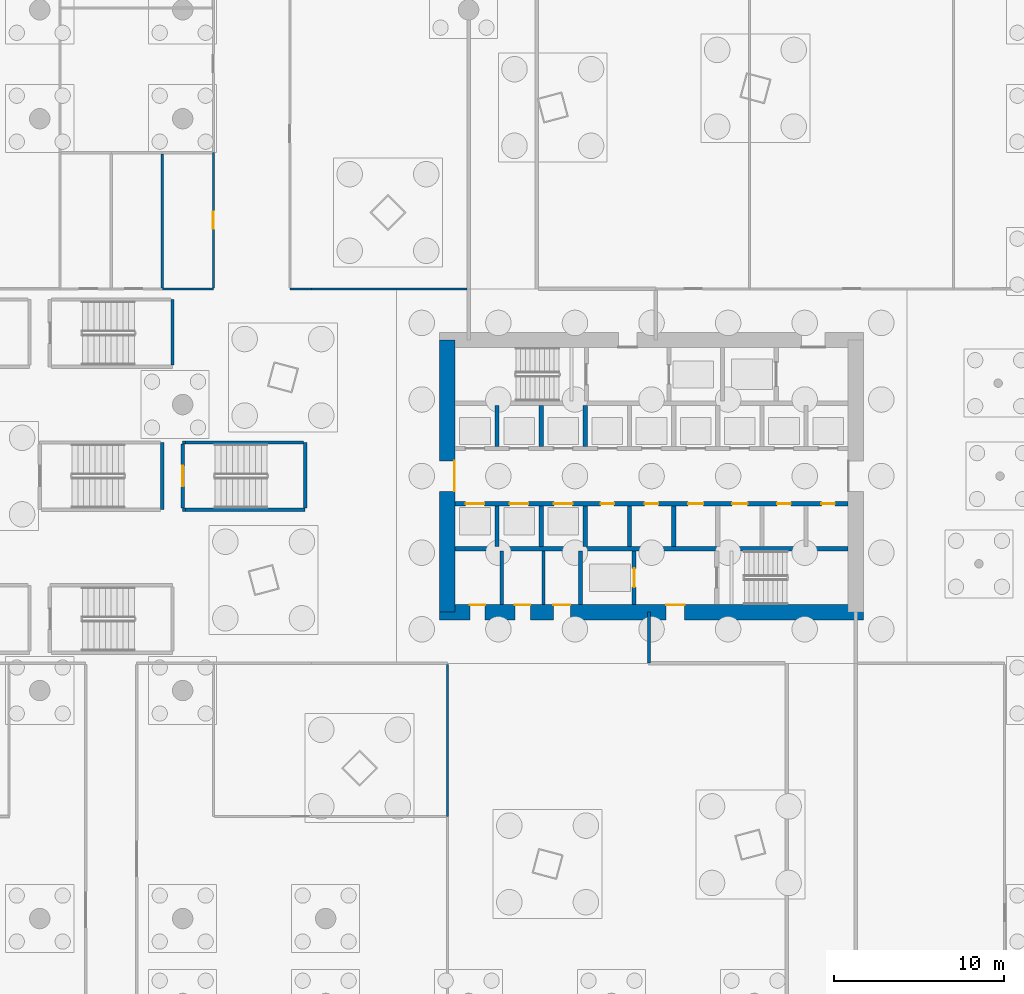
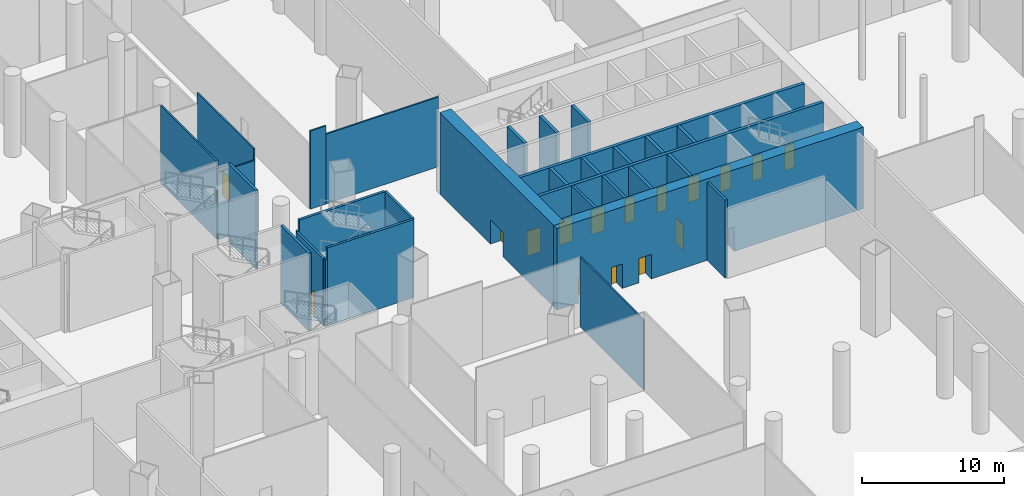
# One storey, part 31 of 41: 31 walls, 17 doors, 17 openings.
"""IFC4 building model written with IfcOpenShell, lengths in metres."""

from ifc_helpers import new_model, si_unit, direction, frame, frame_2d, origin, place, context, subcontext, project, spatial, rectangle, extrude, material, layer, layer_set, type_object, element, fill, save


model = new_model("IFC4")

# Units and contexts
model_context = context("Model", 3, precision=1e-05, world=origin(), true_north=direction((0.0, 1.0)))
body_context = subcontext(model_context, "Body", "Model", "MODEL_VIEW")
ifc_project = project(units=[si_unit("LENGTHUNIT", "METRE"), si_unit("AREAUNIT", "SQUARE_METRE"), si_unit("VOLUMEUNIT", "CUBIC_METRE"), si_unit("PLANEANGLEUNIT", "RADIAN"), si_unit("MASSUNIT", "GRAM", prefix="KILO")], contexts=[model_context])

# Site, building, storey
site_placement = place(None, origin())
site = spatial("IfcSite", under=ifc_project, at=site_placement, CompositionType="ELEMENT")
building_placement = place(site_placement, origin())
building = spatial("IfcBuilding", under=site, at=building_placement, Name="Rimbun Link Towers", CompositionType="ELEMENT")
storey_placement = place(building_placement, origin())
storey = spatial("IfcBuildingStorey", under=building, at=storey_placement, Name="L00", CompositionType="ELEMENT", Elevation=0.0)

# Walls
ifc_material_1 = material(Name="Masonry blockwork", Category="masonry")
ifc_layer_1 = layer(ifc_material_1, 0.199951171875)
ifc_layer_set_1 = layer_set([ifc_layer_1], Name="Core partition 200")
wall_type_1 = type_object("IfcWallType", Name="Core partition 200", PredefinedType="PARTITIONING", material=ifc_layer_set_1)
for number, where, z_axis, x_axis, name in (
    (1, (22.949951171875, -4.39990234375, 0.0), (0.0, 0.0, 1.0), (0.0, -1.0, 0.0), "L00 T2 core wall C1"),
    (2, (25.39990234375, -4.39990234375, 0.0), (0.0, 0.0, 1.0), (0.0, -1.0, 0.0), "L00 T2 core wall C2"),
):
    element("IfcWall", number, at=place(storey_placement, frame(where, z_axis=z_axis, x_axis=x_axis)), inside=storey, type_object=wall_type_1, Name=name, PredefinedType="PARTITIONING", context=body_context, shape_type="SweptSolid", body=[
        extrude(rectangle(XDim=3.150146484375, YDim=0.199951171875, at=frame_2d((1.5751953125, 0.0))), origin(), (0.0, 0.0, 1.0), 7.0),
    ])

# Wall, openings, doors
ifc_material_2 = material(Name="Concrete C60/75", Category="concrete")
ifc_layer_2 = layer(ifc_material_2, 0.89990234375)
ifc_layer_set_2 = layer_set([ifc_layer_2], Name="Core shear wall 900")
wall_type_2 = type_object("IfcWallType", Name="Core shear wall 900", PredefinedType="SHEAR", material=ifc_layer_set_2)
wall_1_placement = place(storey_placement, frame((19.300048828125, -8.0, 0.0), z_axis=(0.0, 0.0, 1.0), x_axis=(1.0, 0.0, 0.0)))
wall_1 = element("IfcWall", 3, at=wall_1_placement, inside=storey, type_object=wall_type_2, Name="L00 T2 core wall S", PredefinedType="SHEAR", context=body_context, shape_type="SweptSolid", body=[
    extrude(rectangle(XDim=24.89990234375, YDim=0.89990234375, at=frame_2d((12.449951171875, 0.0))), origin(), (0.0, 0.0, 1.0), 7.0),
])
opening_1_placement = place(wall_1_placement, frame((13.300048828125, 0.0, 0.0)))
opening_1 = element("IfcOpeningElement", 4, at=opening_1_placement, cuts=wall_1, Name="Opening C2DCF01S", PredefinedType="OPENING", context=body_context, shape_type="SweptSolid", body=[
    extrude(rectangle(XDim=1.10009765625, YDim=2.10009765625, at=frame_2d((0.550048828125, 1.050048828125))), frame((0.0, 0.4599609375, 0.0), z_axis=(0.0, -1.0, 0.0), x_axis=(1.0, 0.0, 0.0)), (0.0, 0.0, 1.0), 0.919921875),
])
opening_2_placement = place(wall_1_placement, frame((1.77490234375, 0.0, 0.0)))
opening_2 = element("IfcOpeningElement", 5, at=opening_2_placement, cuts=wall_1, Name="Opening C2DWC02S", PredefinedType="OPENING", context=body_context, shape_type="SweptSolid", body=[
    extrude(rectangle(XDim=0.89990234375, YDim=2.10009765625, at=frame_2d((0.449951171875, 1.050048828125))), frame((0.0, 0.4599609375, 0.0), z_axis=(0.0, -1.0, 0.0), x_axis=(1.0, 0.0, 0.0)), (0.0, 0.0, 1.0), 0.919921875),
])
opening_3_placement = place(wall_1_placement, frame((4.425048828125, 0.0, 0.0)))
opening_3 = element("IfcOpeningElement", 6, at=opening_3_placement, cuts=wall_1, Name="Opening C2DWC03S", PredefinedType="OPENING", context=body_context, shape_type="SweptSolid", body=[
    extrude(rectangle(XDim=0.89990234375, YDim=2.10009765625, at=frame_2d((0.449951171875, 1.050048828125))), frame((0.0, 0.4599609375, 0.0), z_axis=(0.0, -1.0, 0.0), x_axis=(1.0, 0.0, 0.0)), (0.0, 0.0, 1.0), 0.919921875),
])
opening_4_placement = place(wall_1_placement, frame((6.675048828125, 0.0, 0.0)))
opening_4 = element("IfcOpeningElement", 7, at=opening_4_placement, cuts=wall_1, Name="Opening C2DAW04S", PredefinedType="OPENING", context=body_context, shape_type="SweptSolid", body=[
    extrude(rectangle(XDim=1.0, YDim=2.10009765625, at=frame_2d((0.5, 1.050048828125))), frame((0.0, 0.4599609375, 0.0), z_axis=(0.0, -1.0, 0.0), x_axis=(1.0, 0.0, 0.0)), (0.0, 0.0, 1.0), 0.919921875),
])
ifc_material_3 = material(Name="Timber", Category="wood")
door_type_1 = type_object("IfcDoorType", Name="Accessible WC door", OperationType="SINGLE_SWING_LEFT", PredefinedType="DOOR", material=ifc_material_3)
door_1_placement = place(opening_4_placement, origin())
door_1 = element("IfcDoor", 8, at=door_1_placement, inside=storey, type_object=door_type_1, Name="L00 T2 accessible wc door", OperationType="SINGLE_SWING_RIGHT", OverallHeight=2.10009765625, OverallWidth=1.0, PredefinedType="DOOR", context=body_context, shape_type="SweptSolid", body=[
    extrude(rectangle(XDim=1.0, YDim=2.10009765625, at=frame_2d((0.5, 1.050048828125))), frame((0.0, 0.4501953125, 0.0), z_axis=(0.0, -1.0, 0.0), x_axis=(1.0, 0.0, 0.0)), (0.0, 0.0, 1.0), 0.050048828125),
])
fill(opening_4, door_1)
ifc_material_4 = material(Name="Steel fire door set", Category="steel")
door_type_2 = type_object("IfcDoorType", Name="Core fire door single", OperationType="SINGLE_SWING_LEFT", PredefinedType="DOOR", material=ifc_material_4)
door_2_placement = place(opening_1_placement, origin())
door_2 = element("IfcDoor", 9, at=door_2_placement, inside=storey, type_object=door_type_2, Name="L00 T2 firefighting lobby s door", OperationType="SINGLE_SWING_RIGHT", OverallHeight=2.10009765625, OverallWidth=1.10009765625, PredefinedType="DOOR", context=body_context, shape_type="SweptSolid", body=[
    extrude(rectangle(XDim=1.10009765625, YDim=2.10009765625, at=frame_2d((0.550048828125, 1.050048828125))), frame((0.0, 0.4501953125, 0.0), z_axis=(0.0, -1.0, 0.0), x_axis=(1.0, 0.0, 0.0)), (0.0, 0.0, 1.0), 0.050048828125),
])
fill(opening_1, door_2)
ifc_material_5 = material(Name="Timber", Category="wood")
door_type_3 = type_object("IfcDoorType", Name="WC door", OperationType="SINGLE_SWING_LEFT", PredefinedType="DOOR", material=ifc_material_5)
door_3_placement = place(opening_2_placement, origin())
door_3 = element("IfcDoor", 10, at=door_3_placement, inside=storey, type_object=door_type_3, Name="L00 T2 male wc door", OperationType="SINGLE_SWING_RIGHT", OverallHeight=2.10009765625, OverallWidth=0.89990234375, PredefinedType="DOOR", context=body_context, shape_type="SweptSolid", body=[
    extrude(rectangle(XDim=0.89990234375, YDim=2.10009765625, at=frame_2d((0.449951171875, 1.050048828125))), frame((0.0, 0.4501953125, 0.0), z_axis=(0.0, -1.0, 0.0), x_axis=(1.0, 0.0, 0.0)), (0.0, 0.0, 1.0), 0.050048828125),
])
fill(opening_2, door_3)
door_4_placement = place(opening_3_placement, origin())
door_4 = element("IfcDoor", 11, at=door_4_placement, inside=storey, type_object=door_type_3, Name="L00 T2 female wc door", OperationType="SINGLE_SWING_RIGHT", OverallHeight=2.10009765625, OverallWidth=0.89990234375, PredefinedType="DOOR", context=body_context, shape_type="SweptSolid", body=[
    extrude(rectangle(XDim=0.89990234375, YDim=2.10009765625, at=frame_2d((0.449951171875, 1.050048828125))), frame((0.0, 0.4501953125, 0.0), z_axis=(0.0, -1.0, 0.0), x_axis=(1.0, 0.0, 0.0)), (0.0, 0.0, 1.0), 0.050048828125),
])
fill(opening_3, door_4)

# Wall, opening, door
wall_2_placement = place(storey_placement, frame((19.75, -8.0, 0.0), z_axis=(0.0, 0.0, 1.0), x_axis=(0.0, 1.0, 0.0)))
wall_2 = element("IfcWall", 12, at=wall_2_placement, inside=storey, type_object=wall_type_2, Name="L00 T2 core wall W", PredefinedType="SHEAR", context=body_context, shape_type="SweptSolid", body=[
    extrude(rectangle(XDim=16.0, YDim=0.89990234375, at=frame_2d((8.0, 0.0))), origin(), (0.0, 0.0, 1.0), 7.0),
])
opening_5_placement = place(wall_2_placement, frame((7.10009765625, 0.0, 0.0)))
opening_5 = element("IfcOpeningElement", 13, at=opening_5_placement, cuts=wall_2, Name="Opening C2DCL01W", PredefinedType="OPENING", context=body_context, shape_type="SweptSolid", body=[
    extrude(rectangle(XDim=1.800048828125, YDim=2.10009765625, at=frame_2d((0.89990234375, 1.050048828125))), frame((0.0, 0.4599609375, 0.0), z_axis=(0.0, -1.0, 0.0), x_axis=(1.0, 0.0, 0.0)), (0.0, 0.0, 1.0), 0.919921875),
])
ifc_material_6 = material(Name="Steel fire door set", Category="steel")
door_type_4 = type_object("IfcDoorType", Name="Core lobby door double", OperationType="DOUBLE_DOOR_SINGLE_SWING", PredefinedType="DOOR", material=ifc_material_6)
door_5_placement = place(opening_5_placement, origin())
door_5 = element("IfcDoor", 14, at=door_5_placement, inside=storey, type_object=door_type_4, Name="L00 T2 lift lobby door", OperationType="DOUBLE_DOOR_SINGLE_SWING", OverallHeight=2.10009765625, OverallWidth=1.800048828125, PredefinedType="DOOR", context=body_context, shape_type="SweptSolid", body=[
    extrude(rectangle(XDim=1.800048828125, YDim=2.10009765625, at=frame_2d((0.89990234375, 1.050048828125))), frame((0.0, -0.39990234375, 0.0), z_axis=(0.0, -1.0, 0.0), x_axis=(1.0, 0.0, 0.0)), (0.0, 0.0, 1.0), 0.050048828125),
])
fill(opening_5, door_5)

# Walls
ifc_material_7 = material(Name="Concrete blockwork", Category="masonry")
ifc_layer_3 = layer(ifc_material_7, 0.199951171875)
ifc_layer_set_3 = layer_set([ifc_layer_3], Name="Fire partition 200 blockwork")
wall_type_3 = type_object("IfcWallType", Name="Fire partition 200 blockwork", PredefinedType="PARTITIONING", material=ifc_layer_set_3)
wall_3_placement = place(storey_placement, frame((31.60009765625, -8.0, 0.0), z_axis=(0.0, 0.0, 1.0), x_axis=(0.0, -1.0, 0.0)))
element("IfcWall", 15, at=wall_3_placement, inside=storey, type_object=wall_type_3, Name="PD/PW/L00/050", PredefinedType="PARTITIONING", context=body_context, shape_type="SweptSolid", body=[
    extrude(rectangle(XDim=2.97509765625, YDim=0.199951171875, at=frame_2d((1.487548828125, 0.0))), origin(), (0.0, 0.0, 1.0), 6.699951171875),
])
ifc_material_8 = material(Name="Gypsum board on steel studs", Category="steel")
ifc_layer_4 = layer(ifc_material_8, 0.125)
ifc_layer_set_4 = layer_set([ifc_layer_4], Name="Partition 125 board on studs")
wall_type_4 = type_object("IfcWallType", Name="Partition 125 board on studs", PredefinedType="PARTITIONING", material=ifc_layer_set_4)
wall_4_placement = place(storey_placement, frame((20.89990234375, 11.0, 0.0), z_axis=(0.0, 0.0, 1.0), x_axis=(-1.0, 0.0, 0.0)))
element("IfcWall", 16, at=wall_4_placement, inside=storey, type_object=wall_type_4, Name="PD/PW/L00/063", PredefinedType="PARTITIONING", context=body_context, shape_type="SweptSolid", body=[
    extrude(rectangle(XDim=9.169921875, YDim=0.125, at=frame_2d((4.5849609375, 0.0))), origin(), (0.0, 0.0, 1.0), 5.99609375),
])
wall_5_placement = place(storey_placement, frame((19.75, -11.0625, 0.0), z_axis=(0.0, 0.0, 1.0), x_axis=(0.0, -1.0, 0.0)))
element("IfcWall", 17, at=wall_5_placement, inside=storey, type_object=wall_type_4, Name="PD/PW/L00/068", PredefinedType="PARTITIONING", context=body_context, shape_type="SweptSolid", body=[
    extrude(rectangle(XDim=8.9375, YDim=0.125, at=frame_2d((4.46875, 0.0))), origin(), (0.0, 0.0, 1.0), 5.99609375),
])
wall_6_placement = place(storey_placement, frame((6.0, 11.0, 0.0), z_axis=(0.0, 0.0, 1.0), x_axis=(-1.0, 0.0, 0.0)))
element("IfcWall", 18, at=wall_6_placement, inside=storey, type_object=wall_type_4, Name="PD/PW/L00/080", PredefinedType="PARTITIONING", context=body_context, shape_type="SweptSolid", body=[
    extrude(rectangle(XDim=3.0, YDim=0.125, at=frame_2d((1.5, 0.0))), origin(), (0.0, 0.0, 1.0), 5.761962890625),
])
wall_7_placement = place(storey_placement, frame((11.77001953125, 11.0, 0.0), z_axis=(0.0, 0.0, 1.0), x_axis=(-1.0, 0.0, 0.0)))
element("IfcWall", 19, at=wall_7_placement, inside=storey, type_object=wall_type_4, Name="PD/PW/L00/082", PredefinedType="PARTITIONING", context=body_context, shape_type="SweptSolid", body=[
    extrude(rectangle(XDim=1.27001953125, YDim=0.125, at=frame_2d((0.635009765625, 0.0))), origin(), (0.0, 0.0, 1.0), 6.699951171875),
])

# Wall, opening, door
wall_8_placement = place(storey_placement, frame((6.0, 19.0, 0.0), z_axis=(0.0, 0.0, 1.0), x_axis=(0.0, -1.0, 0.0)))
wall_8 = element("IfcWall", 20, at=wall_8_placement, inside=storey, type_object=wall_type_4, Name="PD/PW/L00/109", PredefinedType="PARTITIONING", context=body_context, shape_type="SweptSolid", body=[
    extrude(rectangle(XDim=7.9375, YDim=0.125, at=frame_2d((3.96875, 0.0))), origin(), (0.0, 0.0, 1.0), 6.699951171875),
])
opening_6_placement = place(wall_8_placement, frame((3.468994140625, 0.0, 0.0)))
opening_6 = element("IfcOpeningElement", 21, at=opening_6_placement, cuts=wall_8, Name="Opening PD D00.16", PredefinedType="OPENING", context=body_context, shape_type="SweptSolid", body=[
    extrude(rectangle(XDim=1.0, YDim=2.10009765625, at=frame_2d((0.5, 1.050048828125))), frame((0.0, 0.072509765625, 0.0), z_axis=(0.0, -1.0, 0.0), x_axis=(1.0, 0.0, 0.0)), (0.0, 0.0, 1.0), 0.14501953125),
])
ifc_material_9 = material(Name="Timber door set", Category="wood")
door_type_5 = type_object("IfcDoorType", Name="Door single leaf 1000 x 2100", OperationType="NOTDEFINED", PredefinedType="DOOR", material=ifc_material_9)
door_6_placement = place(opening_6_placement, origin())
door_6 = element("IfcDoor", 22, at=door_6_placement, inside=storey, type_object=door_type_5, Name="PD/DR/L00/016", OperationType="SINGLE_SWING_LEFT", OverallHeight=2.10009765625, OverallWidth=1.0, PredefinedType="DOOR", context=body_context, shape_type="SweptSolid", body=[
    extrude(rectangle(XDim=1.0, YDim=2.10009765625, at=frame_2d((0.5, 1.050048828125))), frame((0.0, 0.02490234375, 0.0), z_axis=(0.0, -1.0, 0.0), x_axis=(1.0, 0.0, 0.0)), (0.0, 0.0, 1.0), 0.050048828125),
])
fill(opening_6, door_6)

# Walls
wall_9_placement = place(storey_placement, frame((3.0, 11.0625, 0.0), z_axis=(0.0, 0.0, 1.0), x_axis=(0.0, 1.0, 0.0)))
element("IfcWall", 23, at=wall_9_placement, inside=storey, type_object=wall_type_4, Name="PD/PW/L00/116", PredefinedType="PARTITIONING", context=body_context, shape_type="SweptSolid", body=[
    extrude(rectangle(XDim=7.875, YDim=0.125, at=frame_2d((3.9375, 0.0))), origin(), (0.0, 0.0, 1.0), 6.699951171875),
])
ifc_material_10 = material(Name="Concrete C60/75", Category="concrete")
ifc_layer_5 = layer(ifc_material_10, 0.25)
ifc_layer_set_5 = layer_set([ifc_layer_5], Name="Shaft wall 250")
wall_type_5 = type_object("IfcWallType", Name="Shaft wall 250", PredefinedType="SHEAR", material=ifc_layer_set_5)
wall_10_placement = place(storey_placement, frame((20.199951171875, -4.27490234375, 0.0), z_axis=(0.0, 0.0, 1.0), x_axis=(1.0, 0.0, 0.0)))
element("IfcWall", 24, at=wall_10_placement, inside=storey, type_object=wall_type_5, Name="L00 T2 core wall BS", PredefinedType="SHEAR", context=body_context, shape_type="SweptSolid", body=[
    extrude(rectangle(XDim=23.10009765625, YDim=0.25, at=frame_2d((11.550048828125, 0.0))), origin(), (0.0, 0.0, 1.0), 7.0),
])

# Wall, openings, doors
wall_11_placement = place(storey_placement, frame((20.199951171875, -1.625, 0.0), z_axis=(0.0, 0.0, 1.0), x_axis=(1.0, 0.0, 0.0)))
wall_11 = element("IfcWall", 25, at=wall_11_placement, inside=storey, type_object=wall_type_5, Name="L00 T2 core wall FS", PredefinedType="SHEAR", context=body_context, shape_type="SweptSolid", body=[
    extrude(rectangle(XDim=23.10009765625, YDim=0.25, at=frame_2d((11.550048828125, 0.0))), origin(), (0.0, 0.0, 1.0), 7.0),
])
opening_7_placement = place(wall_11_placement, frame((0.622314453125, 0.0, 0.0)))
opening_7 = element("IfcOpeningElement", 26, at=opening_7_placement, cuts=wall_11, Name="Opening LD-T2-SH4", PredefinedType="OPENING", context=body_context, shape_type="SweptSolid", body=[
    extrude(rectangle(XDim=1.10009765625, YDim=2.10009765625, at=frame_2d((0.550048828125, 1.050048828125))), frame((0.0, 0.135009765625, 0.0), z_axis=(0.0, -1.0, 0.0), x_axis=(1.0, 0.0, 0.0)), (0.0, 0.0, 1.0), 0.27001953125),
])
opening_8_placement = place(wall_11_placement, frame((3.216796875, 0.0, 0.0)))
opening_8 = element("IfcOpeningElement", 27, at=opening_8_placement, cuts=wall_11, Name="Opening LD-T2-OB1", PredefinedType="OPENING", context=body_context, shape_type="SweptSolid", body=[
    extrude(rectangle(XDim=1.10009765625, YDim=2.10009765625, at=frame_2d((0.550048828125, 1.050048828125))), frame((0.0, 0.135009765625, 0.0), z_axis=(0.0, -1.0, 0.0), x_axis=(1.0, 0.0, 0.0)), (0.0, 0.0, 1.0), 0.27001953125),
])
opening_9_placement = place(wall_11_placement, frame((5.81103515625, 0.0, 0.0)))
opening_9 = element("IfcOpeningElement", 28, at=opening_9_placement, cuts=wall_11, Name="Opening LD-T2-OB2", PredefinedType="OPENING", context=body_context, shape_type="SweptSolid", body=[
    extrude(rectangle(XDim=1.10009765625, YDim=2.10009765625, at=frame_2d((0.550048828125, 1.050048828125))), frame((0.0, 0.135009765625, 0.0), z_axis=(0.0, -1.0, 0.0), x_axis=(1.0, 0.0, 0.0)), (0.0, 0.0, 1.0), 0.27001953125),
])
opening_10_placement = place(wall_11_placement, frame((8.5556640625, 0.0, 0.0)))
opening_10 = element("IfcOpeningElement", 29, at=opening_10_placement, cuts=wall_11, Name="Opening C2DRA04FS", PredefinedType="OPENING", context=body_context, shape_type="SweptSolid", body=[
    extrude(rectangle(XDim=0.800048828125, YDim=2.10009765625, at=frame_2d((0.39990234375, 1.050048828125))), frame((0.0, 0.135009765625, 0.0), z_axis=(0.0, -1.0, 0.0), x_axis=(1.0, 0.0, 0.0)), (0.0, 0.0, 1.0), 0.27001953125),
])
opening_11_placement = place(wall_11_placement, frame((11.14990234375, 0.0, 0.0)))
opening_11 = element("IfcOpeningElement", 30, at=opening_11_placement, cuts=wall_11, Name="Opening C2DRA05FS", PredefinedType="OPENING", context=body_context, shape_type="SweptSolid", body=[
    extrude(rectangle(XDim=0.800048828125, YDim=2.10009765625, at=frame_2d((0.39990234375, 1.050048828125))), frame((0.0, 0.135009765625, 0.0), z_axis=(0.0, -1.0, 0.0), x_axis=(1.0, 0.0, 0.0)), (0.0, 0.0, 1.0), 0.27001953125),
])
opening_12_placement = place(wall_11_placement, frame((13.6943359375, 0.0, 0.0)))
opening_12 = element("IfcOpeningElement", 31, at=opening_12_placement, cuts=wall_11, Name="Opening C2DRS06FS", PredefinedType="OPENING", context=body_context, shape_type="SweptSolid", body=[
    extrude(rectangle(XDim=0.89990234375, YDim=2.10009765625, at=frame_2d((0.449951171875, 1.050048828125))), frame((0.0, 0.135009765625, 0.0), z_axis=(0.0, -1.0, 0.0), x_axis=(1.0, 0.0, 0.0)), (0.0, 0.0, 1.0), 0.27001953125),
])
opening_13_placement = place(wall_11_placement, frame((16.288818359375, 0.0, 0.0)))
opening_13 = element("IfcOpeningElement", 32, at=opening_13_placement, cuts=wall_11, Name="Opening C2DRS07FS", PredefinedType="OPENING", context=body_context, shape_type="SweptSolid", body=[
    extrude(rectangle(XDim=0.89990234375, YDim=2.10009765625, at=frame_2d((0.449951171875, 1.050048828125))), frame((0.0, 0.135009765625, 0.0), z_axis=(0.0, -1.0, 0.0), x_axis=(1.0, 0.0, 0.0)), (0.0, 0.0, 1.0), 0.27001953125),
])
opening_14_placement = place(wall_11_placement, frame((18.933349609375, 0.0, 0.0)))
opening_14 = element("IfcOpeningElement", 33, at=opening_14_placement, cuts=wall_11, Name="Opening C2DRA08FS", PredefinedType="OPENING", context=body_context, shape_type="SweptSolid", body=[
    extrude(rectangle(XDim=0.800048828125, YDim=2.10009765625, at=frame_2d((0.39990234375, 1.050048828125))), frame((0.0, 0.135009765625, 0.0), z_axis=(0.0, -1.0, 0.0), x_axis=(1.0, 0.0, 0.0)), (0.0, 0.0, 1.0), 0.27001953125),
])
opening_15_placement = place(wall_11_placement, frame((21.52783203125, 0.0, 0.0)))
opening_15 = element("IfcOpeningElement", 34, at=opening_15_placement, cuts=wall_11, Name="Opening C2DRA09FS", PredefinedType="OPENING", context=body_context, shape_type="SweptSolid", body=[
    extrude(rectangle(XDim=0.800048828125, YDim=2.10009765625, at=frame_2d((0.39990234375, 1.050048828125))), frame((0.0, 0.135009765625, 0.0), z_axis=(0.0, -1.0, 0.0), x_axis=(1.0, 0.0, 0.0)), (0.0, 0.0, 1.0), 0.27001953125),
])
ifc_material_11 = material(Name="Steel fire door set", Category="steel")
door_type_6 = type_object("IfcDoorType", Name="Core riser door", OperationType="SINGLE_SWING_LEFT", PredefinedType="DOOR", material=ifc_material_11)
door_7_placement = place(opening_12_placement, origin())
door_7 = element("IfcDoor", 35, at=door_7_placement, inside=storey, type_object=door_type_6, Name="L00 T2 staff store door", OperationType="SINGLE_SWING_LEFT", OverallHeight=2.10009765625, OverallWidth=0.89990234375, PredefinedType="DOOR", context=body_context, shape_type="SweptSolid", body=[
    extrude(rectangle(XDim=0.89990234375, YDim=2.10009765625, at=frame_2d((0.449951171875, 1.050048828125))), frame((0.0, 0.02490234375, 0.0), z_axis=(0.0, -1.0, 0.0), x_axis=(1.0, 0.0, 0.0)), (0.0, 0.0, 1.0), 0.050048828125),
])
fill(opening_12, door_7)
door_8_placement = place(opening_13_placement, origin())
door_8 = element("IfcDoor", 36, at=door_8_placement, inside=storey, type_object=door_type_6, Name="L00 T2 it cupboard door", OperationType="SINGLE_SWING_LEFT", OverallHeight=2.10009765625, OverallWidth=0.89990234375, PredefinedType="DOOR", context=body_context, shape_type="SweptSolid", body=[
    extrude(rectangle(XDim=0.89990234375, YDim=2.10009765625, at=frame_2d((0.449951171875, 1.050048828125))), frame((0.0, 0.02490234375, 0.0), z_axis=(0.0, -1.0, 0.0), x_axis=(1.0, 0.0, 0.0)), (0.0, 0.0, 1.0), 0.050048828125),
])
fill(opening_13, door_8)
ifc_material_12 = material(Name="Stainless steel grade 316", Category="steel")
door_type_7 = type_object("IfcDoorType", Name="Lift landing door", OperationType="DOUBLE_DOOR_SLIDING", PredefinedType="DOOR", material=ifc_material_12)
door_9_placement = place(opening_7_placement, origin())
door_9 = element("IfcDoor", 37, at=door_9_placement, inside=storey, type_object=door_type_7, Name="L00 T2 lift SH4 landing door", OperationType="DOUBLE_DOOR_SLIDING", OverallHeight=2.10009765625, OverallWidth=1.10009765625, PredefinedType="DOOR", context=body_context, shape_type="SweptSolid", body=[
    extrude(rectangle(XDim=1.10009765625, YDim=2.10009765625, at=frame_2d((0.550048828125, 1.050048828125))), frame((0.0, 0.02490234375, 0.0), z_axis=(0.0, -1.0, 0.0), x_axis=(1.0, 0.0, 0.0)), (0.0, 0.0, 1.0), 0.050048828125),
])
fill(opening_7, door_9)
door_10_placement = place(opening_8_placement, origin())
door_10 = element("IfcDoor", 38, at=door_10_placement, inside=storey, type_object=door_type_7, Name="L00 T2 lift OB1 landing door", OperationType="DOUBLE_DOOR_SLIDING", OverallHeight=2.10009765625, OverallWidth=1.10009765625, PredefinedType="DOOR", context=body_context, shape_type="SweptSolid", body=[
    extrude(rectangle(XDim=1.10009765625, YDim=2.10009765625, at=frame_2d((0.550048828125, 1.050048828125))), frame((0.0, 0.02490234375, 0.0), z_axis=(0.0, -1.0, 0.0), x_axis=(1.0, 0.0, 0.0)), (0.0, 0.0, 1.0), 0.050048828125),
])
fill(opening_8, door_10)
door_11_placement = place(opening_9_placement, origin())
door_11 = element("IfcDoor", 39, at=door_11_placement, inside=storey, type_object=door_type_7, Name="L00 T2 lift OB2 landing door", OperationType="DOUBLE_DOOR_SLIDING", OverallHeight=2.10009765625, OverallWidth=1.10009765625, PredefinedType="DOOR", context=body_context, shape_type="SweptSolid", body=[
    extrude(rectangle(XDim=1.10009765625, YDim=2.10009765625, at=frame_2d((0.550048828125, 1.050048828125))), frame((0.0, 0.02490234375, 0.0), z_axis=(0.0, -1.0, 0.0), x_axis=(1.0, 0.0, 0.0)), (0.0, 0.0, 1.0), 0.050048828125),
])
fill(opening_9, door_11)
ifc_material_13 = material(Name="Steel fire door set", Category="steel")
door_type_8 = type_object("IfcDoorType", Name="Riser access door 800 x 2100", OperationType="SINGLE_SWING_LEFT", PredefinedType="DOOR", material=ifc_material_13)
door_12_placement = place(opening_10_placement, origin())
door_12 = element("IfcDoor", 40, at=door_12_placement, inside=storey, type_object=door_type_8, Name="L00 T2 electrical room door", OperationType="SINGLE_SWING_LEFT", OverallHeight=2.10009765625, OverallWidth=0.800048828125, PredefinedType="DOOR", context=body_context, shape_type="SweptSolid", body=[
    extrude(rectangle(XDim=0.800048828125, YDim=2.10009765625, at=frame_2d((0.39990234375, 1.050048828125))), frame((0.0, 0.02490234375, 0.0), z_axis=(0.0, -1.0, 0.0), x_axis=(1.0, 0.0, 0.0)), (0.0, 0.0, 1.0), 0.050048828125),
])
fill(opening_10, door_12)
door_13_placement = place(opening_11_placement, origin())
door_13 = element("IfcDoor", 41, at=door_13_placement, inside=storey, type_object=door_type_8, Name="L00 T2 riser cupboard door", OperationType="SINGLE_SWING_RIGHT", OverallHeight=2.10009765625, OverallWidth=0.800048828125, PredefinedType="DOOR", context=body_context, shape_type="SweptSolid", body=[
    extrude(rectangle(XDim=0.800048828125, YDim=2.10009765625, at=frame_2d((0.39990234375, 1.050048828125))), frame((0.0, 0.02490234375, 0.0), z_axis=(0.0, -1.0, 0.0), x_axis=(1.0, 0.0, 0.0)), (0.0, 0.0, 1.0), 0.050048828125),
])
fill(opening_11, door_13)
door_14_placement = place(opening_14_placement, origin())
door_14 = element("IfcDoor", 42, at=door_14_placement, inside=storey, type_object=door_type_8, Name="L00 T2 electrical room door", OperationType="SINGLE_SWING_LEFT", OverallHeight=2.10009765625, OverallWidth=0.800048828125, PredefinedType="DOOR", context=body_context, shape_type="SweptSolid", body=[
    extrude(rectangle(XDim=0.800048828125, YDim=2.10009765625, at=frame_2d((0.39990234375, 1.050048828125))), frame((0.0, 0.02490234375, 0.0), z_axis=(0.0, -1.0, 0.0), x_axis=(1.0, 0.0, 0.0)), (0.0, 0.0, 1.0), 0.050048828125),
])
fill(opening_14, door_14)
door_15_placement = place(opening_15_placement, origin())
door_15 = element("IfcDoor", 43, at=door_15_placement, inside=storey, type_object=door_type_8, Name="L00 T2 riser cupboard door", OperationType="SINGLE_SWING_LEFT", OverallHeight=2.10009765625, OverallWidth=0.800048828125, PredefinedType="DOOR", context=body_context, shape_type="SweptSolid", body=[
    extrude(rectangle(XDim=0.800048828125, YDim=2.10009765625, at=frame_2d((0.39990234375, 1.050048828125))), frame((0.0, 0.02490234375, 0.0), z_axis=(0.0, -1.0, 0.0), x_axis=(1.0, 0.0, 0.0)), (0.0, 0.0, 1.0), 0.050048828125),
])
fill(opening_15, door_15)

# Walls
for number, where, z_axis, x_axis, name in (
    (44, (22.66943359375, 1.75, 0.0), (0.0, 0.0, 1.0), (0.0, 1.0, 0.0), "L00 T2 core wall DN0"),
    (45, (25.263916015625, 1.75, 0.0), (0.0, 0.0, 1.0), (0.0, 1.0, 0.0), "L00 T2 core wall DN1"),
    (46, (27.8583984375, 1.75, 0.0), (0.0, 0.0, 1.0), (0.0, 1.0, 0.0), "L00 T2 core wall DN2"),
    (47, (22.66943359375, -4.14990234375, 0.0), (0.0, 0.0, 1.0), (0.0, 1.0, 0.0), "L00 T2 core wall DS0"),
    (48, (25.263916015625, -4.14990234375, 0.0), (0.0, 0.0, 1.0), (0.0, 1.0, 0.0), "L00 T2 core wall DS1"),
    (49, (27.8583984375, -4.14990234375, 0.0), (0.0, 0.0, 1.0), (0.0, 1.0, 0.0), "L00 T2 core wall DS2"),
    (50, (30.452880859375, -4.14990234375, 0.0), (0.0, 0.0, 1.0), (0.0, 1.0, 0.0), "L00 T2 core wall DS3"),
    (51, (33.047119140625, -4.14990234375, 0.0), (0.0, 0.0, 1.0), (0.0, 1.0, 0.0), "L00 T2 core wall DS4"),
):
    element("IfcWall", number, at=place(storey_placement, frame(where, z_axis=z_axis, x_axis=x_axis)), inside=storey, type_object=wall_type_5, Name=name, PredefinedType="SHEAR", context=body_context, shape_type="SweptSolid", body=[
        extrude(rectangle(XDim=2.39990234375, YDim=0.25, at=frame_2d((1.199951171875, 0.0))), origin(), (0.0, 0.0, 1.0), 7.0),
    ])

# Wall, opening, door
wall_12_placement = place(storey_placement, frame((30.72509765625, -4.39990234375, 0.0), z_axis=(0.0, 0.0, 1.0), x_axis=(0.0, -1.0, 0.0)))
wall_12 = element("IfcWall", 52, at=wall_12_placement, inside=storey, type_object=wall_type_5, Name="L00 T2 core wall B2", PredefinedType="SHEAR", context=body_context, shape_type="SweptSolid", body=[
    extrude(rectangle(XDim=3.150146484375, YDim=0.25, at=frame_2d((1.5751953125, 0.0))), origin(), (0.0, 0.0, 1.0), 7.0),
])
opening_16_placement = place(wall_12_placement, frame((1.02490234375, 0.0, 0.0)))
opening_16 = element("IfcOpeningElement", 53, at=opening_16_placement, cuts=wall_12, Name="Opening LD-T2-FF2", PredefinedType="OPENING", context=body_context, shape_type="SweptSolid", body=[
    extrude(rectangle(XDim=1.10009765625, YDim=2.10009765625, at=frame_2d((0.550048828125, 1.050048828125))), frame((0.0, 0.135009765625, 0.0), z_axis=(0.0, -1.0, 0.0), x_axis=(1.0, 0.0, 0.0)), (0.0, 0.0, 1.0), 0.27001953125),
])
door_16_placement = place(opening_16_placement, origin())
door_16 = element("IfcDoor", 54, at=door_16_placement, inside=storey, type_object=door_type_7, Name="L00 T2 lift FF2 landing door", OperationType="DOUBLE_DOOR_SLIDING", OverallHeight=2.10009765625, OverallWidth=1.10009765625, PredefinedType="DOOR", context=body_context, shape_type="SweptSolid", body=[
    extrude(rectangle(XDim=1.10009765625, YDim=2.10009765625, at=frame_2d((0.550048828125, 1.050048828125))), frame((0.0, 0.02490234375, 0.0), z_axis=(0.0, -1.0, 0.0), x_axis=(1.0, 0.0, 0.0)), (0.0, 0.0, 1.0), 0.050048828125),
])
fill(opening_16, door_16)

# Walls
wall_13_placement = place(storey_placement, frame((27.574951171875, -4.39990234375, 0.0), z_axis=(0.0, 0.0, 1.0), x_axis=(0.0, -1.0, 0.0)))
element("IfcWall", 55, at=wall_13_placement, inside=storey, type_object=wall_type_5, Name="L00 T2 core wall B3", PredefinedType="SHEAR", context=body_context, shape_type="SweptSolid", body=[
    extrude(rectangle(XDim=3.150146484375, YDim=0.25, at=frame_2d((1.5751953125, 0.0))), origin(), (0.0, 0.0, 1.0), 7.0),
])
ifc_material_14 = material(Name="Concrete C40/50", Category="concrete")
ifc_layer_6 = layer(ifc_material_14, 0.199951171875)
ifc_layer_set_6 = layer_set([ifc_layer_6], Name="Stair shaft wall 200")
wall_type_6 = type_object("IfcWallType", Name="Stair shaft wall 200", PredefinedType="SOLIDWALL", material=ifc_layer_set_6)
wall_14_placement = place(storey_placement, frame((3.60009765625, 6.52490234375, 0.0), z_axis=(0.0, 0.0, 1.0), x_axis=(0.0, 1.0, 0.0)))
element("IfcWall", 56, at=wall_14_placement, inside=storey, type_object=wall_type_6, Name="PD/PW/L00/017", PredefinedType="SOLIDWALL", context=body_context, shape_type="SweptSolid", body=[
    extrude(rectangle(XDim=3.85009765625, YDim=0.199951171875, at=frame_2d((1.925048828125, 0.0))), origin(), (0.0, 0.0, 1.0), 6.699951171875),
])
wall_15_placement = place(storey_placement, frame((4.199951171875, -1.97509765625, 0.0), z_axis=(0.0, 0.0, 1.0), x_axis=(1.0, 0.0, 0.0)))
element("IfcWall", 57, at=wall_15_placement, inside=storey, type_object=wall_type_6, Name="PD/PW/L00/019", PredefinedType="SOLIDWALL", context=body_context, shape_type="SweptSolid", body=[
    extrude(rectangle(XDim=0.1728515625, YDim=0.199951171875, at=frame_2d((0.08642578125, 0.0))), origin(), (0.0, 0.0, 1.0), 5.761962890625),
])
wall_16_placement = place(storey_placement, frame((4.372802734375, -1.97509765625, 0.0), z_axis=(0.0, 0.0, 1.0), x_axis=(1.0, 0.0, 0.0)))
element("IfcWall", 58, at=wall_16_placement, inside=storey, type_object=wall_type_6, Name="PD/PW/L00/019b", PredefinedType="SOLIDWALL", context=body_context, shape_type="SweptSolid", body=[
    extrude(rectangle(XDim=7.027099609375, YDim=0.199951171875, at=frame_2d((3.513671875, 0.0))), origin(), (0.0, 0.0, 1.0), 6.699951171875),
])
wall_17_placement = place(storey_placement, frame((11.39990234375, -1.875, 0.0), z_axis=(0.0, 0.0, 1.0), x_axis=(0.0, 1.0, 0.0)))
element("IfcWall", 59, at=wall_17_placement, inside=storey, type_object=wall_type_6, Name="PD/PW/L00/020", PredefinedType="SOLIDWALL", context=body_context, shape_type="SweptSolid", body=[
    extrude(rectangle(XDim=3.85009765625, YDim=0.199951171875, at=frame_2d((1.925048828125, 0.0))), origin(), (0.0, 0.0, 1.0), 6.699951171875),
])
wall_18_placement = place(storey_placement, frame((11.300048828125, 1.97509765625, 0.0), z_axis=(0.0, 0.0, 1.0), x_axis=(-1.0, 0.0, 0.0)))
element("IfcWall", 60, at=wall_18_placement, inside=storey, type_object=wall_type_6, Name="PD/PW/L00/021", PredefinedType="SOLIDWALL", context=body_context, shape_type="SweptSolid", body=[
    extrude(rectangle(XDim=6.92724609375, YDim=0.199951171875, at=frame_2d((3.463623046875, 0.0))), origin(), (0.0, 0.0, 1.0), 6.699951171875),
])
wall_19_placement = place(storey_placement, frame((4.372802734375, 1.97509765625, 0.0), z_axis=(0.0, 0.0, 1.0), x_axis=(-1.0, 0.0, 0.0)))
element("IfcWall", 61, at=wall_19_placement, inside=storey, type_object=wall_type_6, Name="PD/PW/L00/021b", PredefinedType="SOLIDWALL", context=body_context, shape_type="SweptSolid", body=[
    extrude(rectangle(XDim=0.1728515625, YDim=0.199951171875, at=frame_2d((0.08642578125, 0.0))), origin(), (0.0, 0.0, 1.0), 5.761962890625),
])

# Wall, opening, door
wall_20_placement = place(storey_placement, frame((4.199951171875, 1.875, 0.0), z_axis=(0.0, 0.0, 1.0), x_axis=(0.0, -1.0, 0.0)))
wall_20 = element("IfcWall", 62, at=wall_20_placement, inside=storey, type_object=wall_type_6, Name="PD/PW/L00/022", PredefinedType="SOLIDWALL", context=body_context, shape_type="SweptSolid", body=[
    extrude(rectangle(XDim=3.75, YDim=0.199951171875, at=frame_2d((1.875, 0.0))), origin(), (0.0, 0.0, 1.0), 5.761962890625),
])
opening_17_placement = place(wall_20_placement, frame((1.27490234375, 0.0, 0.0)))
opening_17 = element("IfcOpeningElement", 63, at=opening_17_placement, cuts=wall_20, Name="Opening PD DS5", PredefinedType="OPENING", context=body_context, shape_type="SweptSolid", body=[
    extrude(rectangle(XDim=1.199951171875, YDim=2.10009765625, at=frame_2d((0.60009765625, 1.050048828125))), frame((0.0, 0.10986328125, 0.0), z_axis=(0.0, -1.0, 0.0), x_axis=(1.0, 0.0, 0.0)), (0.0, 0.0, 1.0), 0.219970703125),
])
ifc_material_15 = material(Name="Steel fire door set", Category="steel")
door_type_9 = type_object("IfcDoorType", Name="Stair door", OperationType="SINGLE_SWING_LEFT", PredefinedType="DOOR", material=ifc_material_15)
door_17_placement = place(opening_17_placement, frame((1.199951171875, 0.0, 0.0), z_axis=(0.0, 0.0, 1.0), x_axis=(-1.0, 0.0, 0.0)))
door_17 = element("IfcDoor", 64, at=door_17_placement, inside=storey, type_object=door_type_9, Name="PD/DR/L00/S5", OperationType="SINGLE_SWING_LEFT", OverallHeight=2.10009765625, OverallWidth=1.199951171875, PredefinedType="DOOR", context=body_context, shape_type="SweptSolid", body=[
    extrude(rectangle(XDim=1.199951171875, YDim=2.10009765625, at=frame_2d((0.60009765625, 1.050048828125))), frame((0.0, 0.02490234375, 0.0), z_axis=(0.0, -1.0, 0.0), x_axis=(1.0, 0.0, 0.0)), (0.0, 0.0, 1.0), 0.050048828125),
])
fill(opening_17, door_17)

# Wall
wall_21_placement = place(storey_placement, frame((3.0, -1.97509765625, 0.0), z_axis=(0.0, 0.0, 1.0), x_axis=(0.0, 1.0, 0.0)))
element("IfcWall", 65, at=wall_21_placement, inside=storey, type_object=wall_type_6, Name="PD/PW/L00/023", PredefinedType="SOLIDWALL", context=body_context, shape_type="SweptSolid", body=[
    extrude(rectangle(XDim=3.9501953125, YDim=0.199951171875, at=frame_2d((1.97509765625, 0.0))), origin(), (0.0, 0.0, 1.0), 6.699951171875),
])

save(model, "model.ifc")
